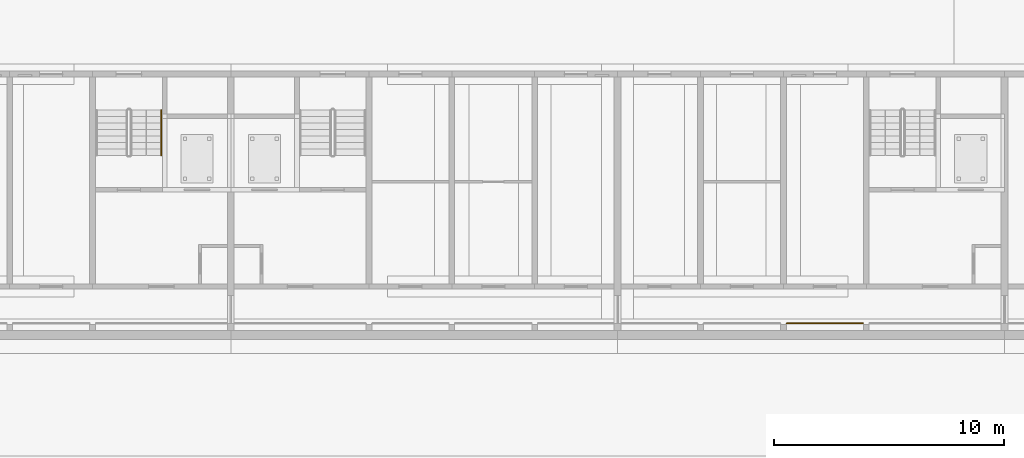
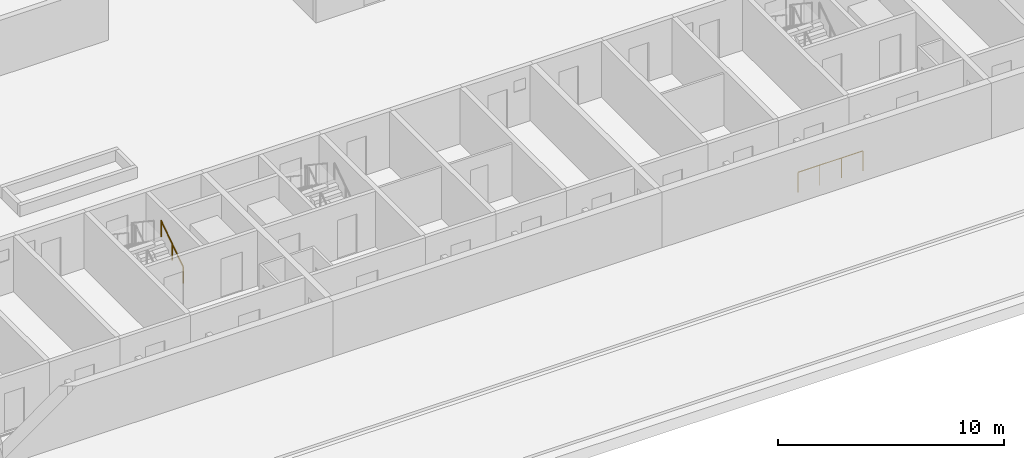
# One storey, part 98 of 112: 2 railings.
"""IFC4 building model written with IfcOpenShell, lengths in metres."""

from ifc_helpers import new_model, si_unit, direction, frame, origin, origin_2d, place, context, subcontext, project, spatial, circle, extrude, material, type_object, element, save


model = new_model("IFC4")

# Units and contexts
model_context = context("Model", 3, precision=1e-05, world=origin(), true_north=direction((0.0, 1.0)))
body_context = subcontext(model_context, "Body", "Model", "MODEL_VIEW")
ifc_project = project(units=[si_unit("LENGTHUNIT", "METRE"), si_unit("AREAUNIT", "SQUARE_METRE"), si_unit("VOLUMEUNIT", "CUBIC_METRE"), si_unit("PLANEANGLEUNIT", "RADIAN"), si_unit("MASSUNIT", "GRAM", prefix="KILO")], contexts=[model_context])

# Site, building, storey
site_placement = place(None, origin())
site = spatial("IfcSite", under=ifc_project, at=site_placement, CompositionType="ELEMENT")
building_placement = place(site_placement, origin())
building = spatial("IfcBuilding", under=site, at=building_placement, Name="Ridgestep Commons", CompositionType="ELEMENT")
storey_placement = place(building_placement, origin())
storey = spatial("IfcBuildingStorey", under=building, at=storey_placement, Name="L00", CompositionType="ELEMENT", Elevation=0.0)

# Railings
ifc_material_1 = material(Name="Structural steel S355JR galvanised", Category="steel")
railing_type_1 = type_object("IfcRailingType", Name="Passage guard 1100", PredefinedType="GUARDRAIL", material=ifc_material_1)
railing_1_placement = place(storey_placement, frame((187.74609375, 12.050048828125, 0.0)))
element("IfcRailing", 1, at=railing_1_placement, inside=storey, type_object=railing_type_1, Name="Passage guard D 00.11", PredefinedType="GUARDRAIL", context=body_context, shape_type="SweptSolid", body=[
    extrude(circle(Radius=0.02392578125, at=origin_2d()), frame((0.0, 0.0, 1.076171875), z_axis=(1.0, 0.0, 0.0), x_axis=(0.0, 1.0, 0.0)), (0.0, 0.0, 1.0), 3.307861328125),
    extrude(circle(Radius=0.02099609375, at=origin_2d()), origin(), (0.0, 0.0, 1.0), 1.052001953125),
    extrude(circle(Radius=0.02099609375, at=origin_2d()), frame((1.1025390625, 0.0, 0.0)), (0.0, 0.0, 1.0), 1.052001953125),
    extrude(circle(Radius=0.02099609375, at=origin_2d()), frame((2.205322265625, 0.0, 0.0)), (0.0, 0.0, 1.0), 1.052001953125),
    extrude(circle(Radius=0.02099609375, at=origin_2d()), frame((3.307861328125, 0.0, 0.0)), (0.0, 0.0, 1.0), 1.052001953125),
])
ifc_material_2 = material(Name="Structural steel S355JR", Category="steel")
railing_type_2 = type_object("IfcRailingType", Name="Stair handrail 900", PredefinedType="HANDRAIL", material=ifc_material_2)
railing_2_placement = place(storey_placement, frame((160.574951171875, 19.35009765625, 0.1875)))
element("IfcRailing", 2, at=railing_2_placement, inside=storey, type_object=railing_type_2, Name="L00 D1C stair handrail 1", PredefinedType="HANDRAIL", context=body_context, shape_type="SweptSolid", body=[
    extrude(circle(Radius=0.02392578125, at=origin_2d()), frame((0.0, 0.0, 0.8759765625), z_axis=(0.0, 0.830902050051, 0.556418712142), x_axis=(-1.0, 0.0, 0.0)), (0.0, 0.0, 1.0), 2.35888671875),
    extrude(circle(Radius=0.02099609375, at=origin_2d()), origin(), (0.0, 0.0, 1.0), 0.851806640625),
    extrude(circle(Radius=0.02099609375, at=origin_2d()), frame((0.0, 0.97998046875, 0.65625)), (0.0, 0.0, 1.0), 0.851806640625),
    extrude(circle(Radius=0.02099609375, at=origin_2d()), frame((0.0, 1.9599609375, 1.3125)), (0.0, 0.0, 1.0), 0.851806640625),
])

save(model, "model.ifc")
